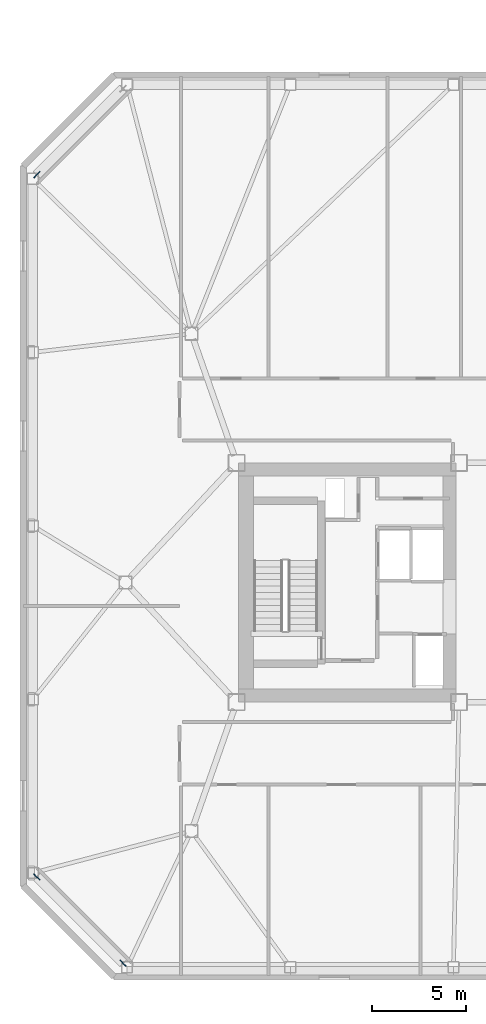
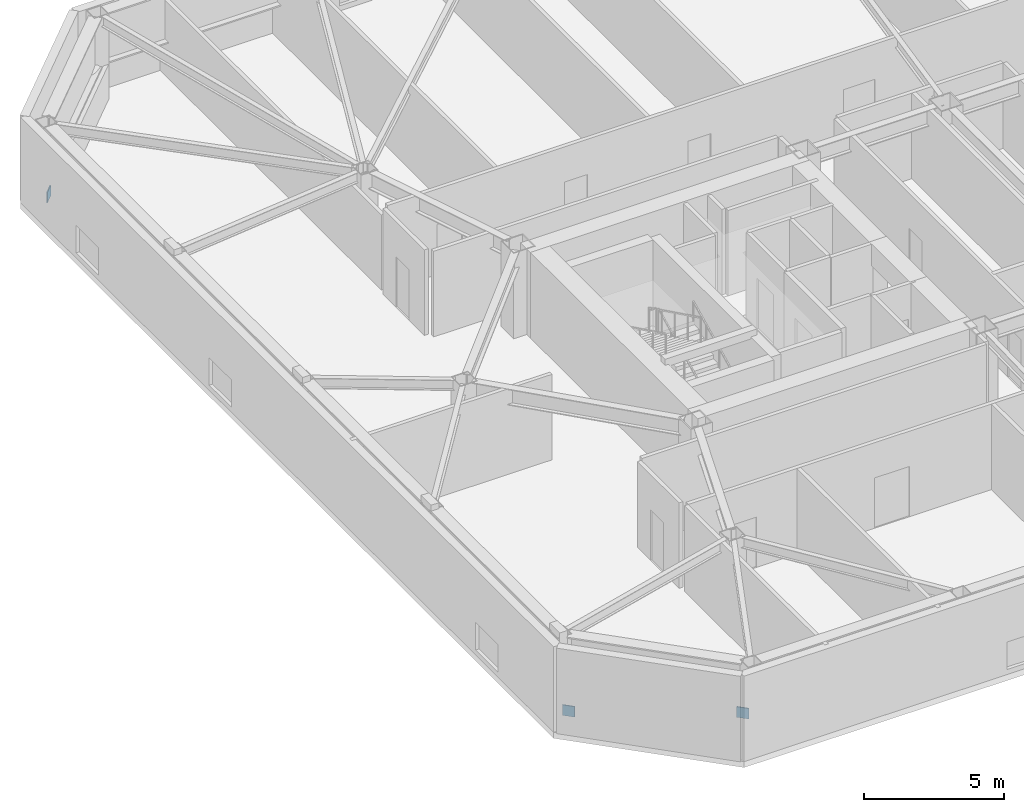
# One storey, part 15 of 19: 3 discrete accessories.
"""IFC4 building model written with IfcOpenShell, lengths in metres."""

from ifc_helpers import new_model, si_unit, direction, frame, origin, origin_2d, place, context, subcontext, project, spatial, rectangle, extrude, material, type_object, element, save


model = new_model("IFC4")

# Units and contexts
model_context = context("Model", 3, precision=1e-05, world=origin(), true_north=direction((0.0, 1.0)))
body_context = subcontext(model_context, "Body", "Model", "MODEL_VIEW")
ifc_project = project(units=[si_unit("LENGTHUNIT", "METRE"), si_unit("AREAUNIT", "SQUARE_METRE"), si_unit("VOLUMEUNIT", "CUBIC_METRE"), si_unit("PLANEANGLEUNIT", "RADIAN"), si_unit("MASSUNIT", "GRAM", prefix="KILO")], contexts=[model_context])

# Site, building, storey
site_placement = place(None, origin())
site = spatial("IfcSite", under=ifc_project, at=site_placement, CompositionType="ELEMENT")
building_placement = place(site_placement, origin())
building = spatial("IfcBuilding", under=site, at=building_placement, Name="Tavrogorsk Clinical Tower", CompositionType="ELEMENT")
storey_placement = place(building_placement, frame((0.0, 0.0, 172.199951171875)))
storey = spatial("IfcBuildingStorey", under=building, at=storey_placement, Name="L39", CompositionType="ELEMENT", Elevation=172.199951171875)

# Discrete accessories
ifc_material = material(Name="Structural steel S440", Category="steel")
discrete_accessory_type = type_object("IfcDiscreteAccessoryType", Name="GussetPlateBracket_25", PredefinedType="BRACKET", material=ifc_material)
for number, where, z_axis, x_axis, name in (
    (1, (-32.705322265625, 21.634765625, 0.12109375), (0.0, 0.0, 1.0), (0.707106781187, 0.707106781187, 0.0), "L39 Brace Gusset Plate EXOCRN-L39-3-A"),
    (2, (-32.705322265625, -15.634765625, 0.12109375), (0.0, 0.0, 1.0), (0.707106781187, -0.707106781187, 0.0), "L39 Brace Gusset Plate EXOCRN-L39-4-A"),
    (3, (-28.134765625, -20.205322265625, 1.208984375), (0.0, 0.0, 1.0), (0.707106781187, -0.707106781187, 0.0), "L39 Brace Gusset Plate EXOCRN-L39-4-B"),
):
    element("IfcDiscreteAccessory", number, at=place(storey_placement, frame(where, z_axis=z_axis, x_axis=x_axis)), inside=storey, type_object=discrete_accessory_type, Name=name, PredefinedType="BRACKET", context=body_context, shape_type="SweptSolid", body=[
        extrude(rectangle(XDim=0.4599609375, YDim=0.0400390625, at=origin_2d()), origin(), (0.0, 0.0, 1.0), 0.4599609375),
    ])

save(model, "model.ifc")
